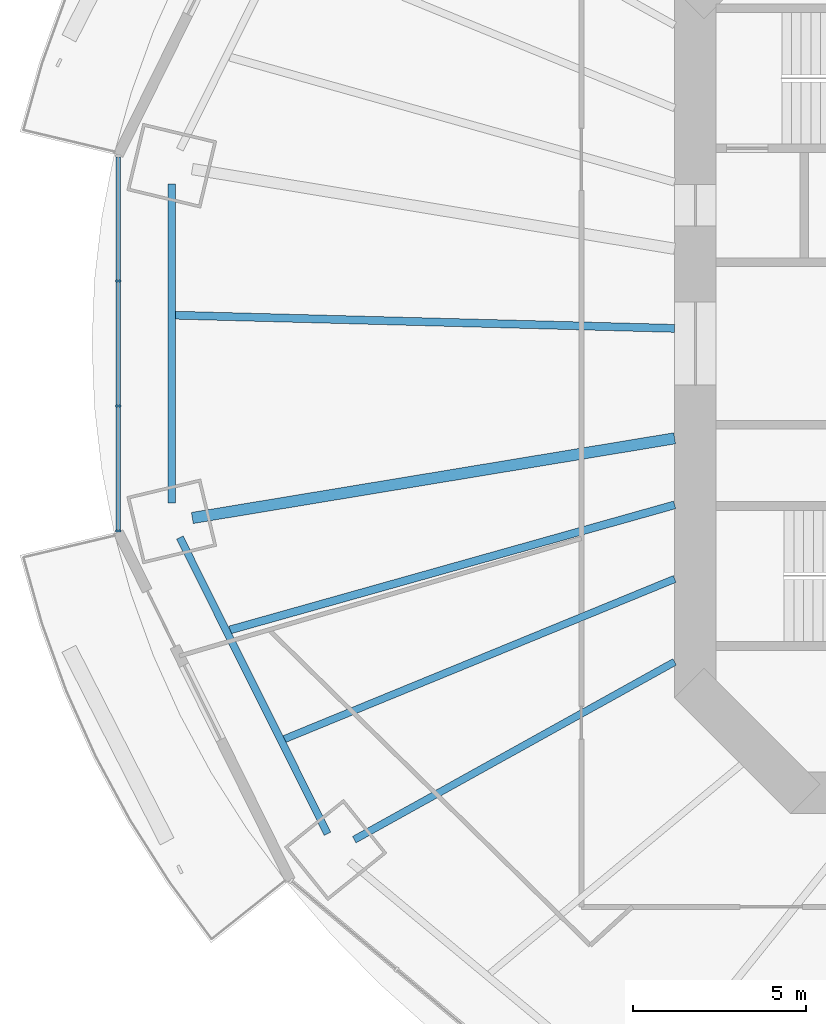
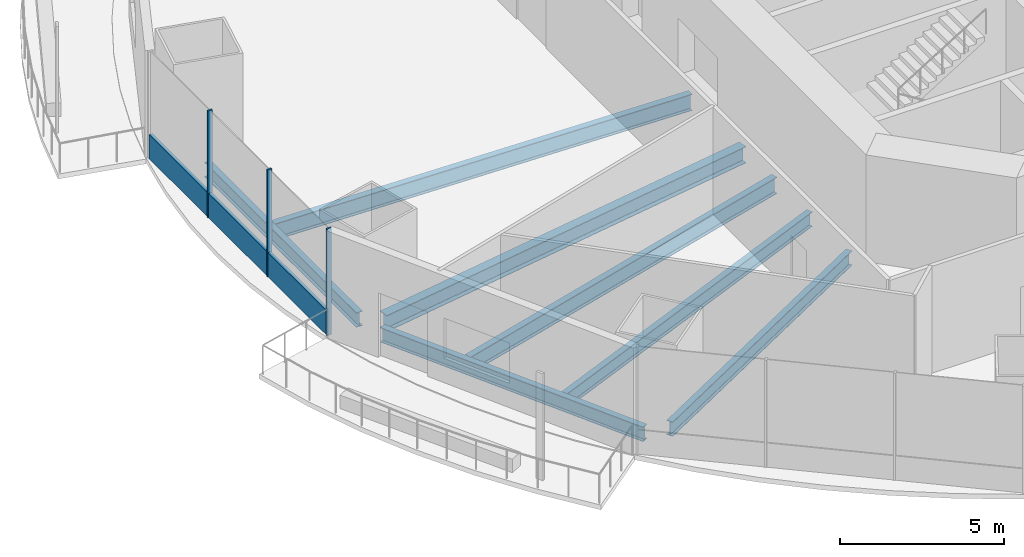
# One storey, part 3 of 20: 7 beams, 4 members, 1 element without a shape of its own.
"""IFC4 building model written with IfcOpenShell, lengths in metres."""

from ifc_helpers import new_model, si_unit, direction, frame, origin, origin_2d, place, context, subcontext, project, spatial, rectangle, i_section, extrude, material, material_profile, profile_set, type_object, element, aggregate, save


model = new_model("IFC4")

# Units and contexts
model_context = context("Model", 3, precision=1e-05, world=origin(), true_north=direction((0.0, 1.0)))
body_context = subcontext(model_context, "Body", "Model", "MODEL_VIEW")
ifc_project = project(units=[si_unit("LENGTHUNIT", "METRE"), si_unit("AREAUNIT", "SQUARE_METRE"), si_unit("VOLUMEUNIT", "CUBIC_METRE"), si_unit("PLANEANGLEUNIT", "RADIAN"), si_unit("MASSUNIT", "GRAM", prefix="KILO")], contexts=[model_context])

# Site, building, storey
site_placement = place(None, origin())
site = spatial("IfcSite", under=ifc_project, at=site_placement, CompositionType="ELEMENT")
building_placement = place(site_placement, origin())
building = spatial("IfcBuilding", under=site, at=building_placement, Name="Marenthal Gate Tower", CompositionType="ELEMENT")
storey_placement = place(building_placement, frame((0.0, 0.0, 132.60009765625)))
storey = spatial("IfcBuildingStorey", under=building, at=storey_placement, Name="L28", CompositionType="ELEMENT", Elevation=132.60009765625)

# Curtain wall, members
ifc_material_1 = material(Name="Aluminium and glass", Category="aluminium")
curtain_wall_type = type_object("IfcCurtainWallType", Name="Curtain wall typical low", PredefinedType="NOTDEFINED", material=ifc_material_1)
curtain_wall_placement = place(storey_placement, origin())
curtain_wall = element("IfcCurtainWall", 1, at=curtain_wall_placement, inside=storey, type_object=curtain_wall_type, Name="Curtain wall L28 bay 8", PredefinedType="NOTDEFINED")
ifc_material_2 = material(Name="Aluminium", Category="aluminium")
ifc_material_profile_1 = material_profile(ifc_material_2, rectangle(XDim=0.159912109375, YDim=0.06005859375, at=origin_2d()), Name="60x160 aluminium mullion")
ifc_profile_set_1 = profile_set([ifc_material_profile_1], Name="Aluminium")
member_type_1 = type_object("IfcMemberType", Name="Mullion 60x160 typical low", PredefinedType="MULLION", material=ifc_profile_set_1)
member_1_placement = place(storey_placement, frame((-32.701416015625, 1.80810546875, 0.0), z_axis=(0.0, 0.0, 1.0), x_axis=(1.0, 0.0, 0.0)))
member_1 = element("IfcMember", 2, at=member_1_placement, type_object=member_type_1, Name="Mullion L28 bay 8.2", PredefinedType="MULLION", context=body_context, shape_type="SweptSolid", body=[
    extrude(rectangle(XDim=0.159912109375, YDim=0.06005859375, at=origin_2d()), origin(), (0.0, 0.0, 1.0), 3.969970703125),
])
member_2_placement = place(storey_placement, frame((-32.701416015625, -1.80810546875, 0.0), z_axis=(0.0, 0.0, 1.0), x_axis=(1.0, 0.0, 0.0)))
member_2 = element("IfcMember", 3, at=member_2_placement, type_object=member_type_1, Name="Mullion L28 bay 8.3", PredefinedType="MULLION", context=body_context, shape_type="SweptSolid", body=[
    extrude(rectangle(XDim=0.159912109375, YDim=0.06005859375, at=origin_2d()), origin(), (0.0, 0.0, 1.0), 3.969970703125),
])
member_3_placement = place(storey_placement, frame((-32.701416015625, -5.424072265625, 0.0), z_axis=(0.0, 0.0, 1.0), x_axis=(1.0, 0.0, 0.0)))
member_3 = element("IfcMember", 4, at=member_3_placement, type_object=member_type_1, Name="Mullion L28 bay 8.4", PredefinedType="MULLION", context=body_context, shape_type="SweptSolid", body=[
    extrude(rectangle(XDim=0.159912109375, YDim=0.06005859375, at=origin_2d()), origin(), (0.0, 0.0, 1.0), 3.969970703125),
])
ifc_material_3 = material(Name="Aluminium", Category="aluminium")
ifc_material_profile_2 = material_profile(ifc_material_3, rectangle(XDim=0.1201171875, YDim=0.89990234375, at=origin_2d()), Name="120x900 aluminium transom")
ifc_profile_set_2 = profile_set([ifc_material_profile_2], Name="Aluminium")
member_type_2 = type_object("IfcMemberType", Name="Transom 120x900 typical low", PredefinedType="USERDEFINED", material=ifc_profile_set_2)
member_4_placement = place(storey_placement, frame((-32.701416015625, 5.39404296875, 0.449951171875), z_axis=(0.0, -1.0, 0.0), x_axis=(1.0, 0.0, 0.0)))
member_4 = element("IfcMember", 5, at=member_4_placement, type_object=member_type_2, Name="Transom L28 bay 8", ObjectType="TRANSOM", PredefinedType="USERDEFINED", context=body_context, shape_type="SweptSolid", body=[
    extrude(rectangle(XDim=0.1201171875, YDim=0.89990234375, at=origin_2d()), origin(), (0.0, 0.0, 1.0), 10.7880859375),
])
aggregate(curtain_wall, [member_1, member_2, member_3, member_4])

# Beams
ifc_material_4 = material(Name="Steel S355", Category="steel")
ifc_material_profile_3 = material_profile(ifc_material_4, i_section(OverallWidth=0.2119140625, OverallDepth=0.5439453125, WebThickness=0.01318359375, FlangeThickness=0.021240234375, FilletRadius=0.0126953125, at=origin_2d()), Name="W530X123")
ifc_profile_set_3 = profile_set([ifc_material_profile_3], Name="Steel S355")
beam_type_1 = type_object("IfcBeamType", Name="W530X123 beam", PredefinedType="BEAM", material=ifc_profile_set_3)
beam_1_placement = place(storey_placement, frame((-25.8701171875, -14.355224609375, -0.4521484375), z_axis=(0.874396146379, 0.485212715412, 0.0), x_axis=(-0.485212715412, 0.874396146379, 0.0)))
element("IfcBeam", 6, at=beam_1_placement, inside=storey, type_object=beam_type_1, Name="BM-L28-10", PredefinedType="BEAM", context=body_context, shape_type="SweptSolid", body=[
    extrude(i_section(OverallWidth=0.2119140625, OverallDepth=0.5439453125, WebThickness=0.01318359375, FlangeThickness=0.021240234375, FilletRadius=0.0126953125, at=origin_2d()), origin(), (0.0, 0.0, 1.0), 10.6015625),
])
beam_2_placement = place(storey_placement, frame((-27.8916015625, -11.444580078125, -0.4521484375), z_axis=(0.925143041133, 0.379618694803, 0.0), x_axis=(-0.379618694803, 0.925143041133, 0.0)))
element("IfcBeam", 7, at=beam_2_placement, inside=storey, type_object=beam_type_1, Name="BM-L28-30", PredefinedType="BEAM", context=body_context, shape_type="SweptSolid", body=[
    extrude(i_section(OverallWidth=0.2119140625, OverallDepth=0.5439453125, WebThickness=0.01318359375, FlangeThickness=0.021240234375, FilletRadius=0.0126953125, at=origin_2d()), origin(), (0.0, 0.0, 1.0), 12.205078125),
])
beam_3_placement = place(storey_placement, frame((-31.151611328125, 4.61767578125, -0.4521484375), z_axis=(0.0, -1.0, 0.0), x_axis=(1.0, 0.0, 0.0)))
element("IfcBeam", 8, at=beam_3_placement, inside=storey, type_object=beam_type_1, Name="BM-L28-48", PredefinedType="BEAM", context=body_context, shape_type="SweptSolid", body=[
    extrude(i_section(OverallWidth=0.2119140625, OverallDepth=0.5439453125, WebThickness=0.01318359375, FlangeThickness=0.021240234375, FilletRadius=0.0126953125, at=origin_2d()), origin(), (0.0, 0.0, 1.0), 9.2353515625),
])
beam_4_placement = place(storey_placement, frame((-30.916748046875, -5.616943359375, -0.4521484375), z_axis=(0.446356728124, -0.89485511188, 0.0), x_axis=(0.89485511188, 0.446356728124, 0.0)))
element("IfcBeam", 9, at=beam_4_placement, inside=storey, type_object=beam_type_1, Name="BM-L28-49", PredefinedType="BEAM", context=body_context, shape_type="SweptSolid", body=[
    extrude(i_section(OverallWidth=0.2119140625, OverallDepth=0.5439453125, WebThickness=0.01318359375, FlangeThickness=0.021240234375, FilletRadius=0.0126953125, at=origin_2d()), origin(), (0.0, 0.0, 1.0), 9.57568359375),
])
ifc_material_5 = material(Name="Steel S355", Category="steel")
ifc_material_profile_4 = material_profile(ifc_material_5, i_section(OverallWidth=0.22900390625, OverallDepth=0.612060546875, WebThickness=0.011962890625, FlangeThickness=0.01953125, FilletRadius=0.0126953125, at=origin_2d()), Name="W610X125")
ifc_profile_set_4 = profile_set([ifc_material_profile_4], Name="Steel S355")
beam_type_2 = type_object("IfcBeamType", Name="W610X125 beam", PredefinedType="BEAM", material=ifc_profile_set_4)
beam_5_placement = place(storey_placement, frame((-31.045654296875, 0.820556640625, -0.486083984375), z_axis=(0.999650837546, -0.026423531071, 0.0), x_axis=(0.026423531071, 0.999650837546, 0.0)))
element("IfcBeam", 10, at=beam_5_placement, inside=storey, type_object=beam_type_2, Name="BM-L28-28", PredefinedType="BEAM", context=body_context, shape_type="SweptSolid", body=[
    extrude(i_section(OverallWidth=0.22900390625, OverallDepth=0.612060546875, WebThickness=0.011962890625, FlangeThickness=0.01953125, FilletRadius=0.0126953125, at=origin_2d()), origin(), (0.0, 0.0, 1.0), 14.45068359375),
])
beam_6_placement = place(storey_placement, frame((-29.466796875, -8.2861328125, -0.486083984375), z_axis=(0.962662543646, 0.270704316664, 0.0), x_axis=(-0.270704316664, 0.962662543646, 0.0)))
element("IfcBeam", 11, at=beam_6_placement, inside=storey, type_object=beam_type_2, Name="BM-L28-29", PredefinedType="BEAM", context=body_context, shape_type="SweptSolid", body=[
    extrude(i_section(OverallWidth=0.22900390625, OverallDepth=0.612060546875, WebThickness=0.011962890625, FlangeThickness=0.01953125, FilletRadius=0.0126953125, at=origin_2d()), origin(), (0.0, 0.0, 1.0), 13.36572265625),
])
ifc_material_6 = material(Name="Steel S355", Category="steel")
ifc_material_profile_5 = material_profile(ifc_material_6, i_section(OverallWidth=0.324951171875, OverallDepth=0.612060546875, WebThickness=0.0126953125, FlangeThickness=0.01904296875, FilletRadius=0.0126953125, at=origin_2d()), Name="W610X155")
ifc_profile_set_5 = profile_set([ifc_material_profile_5], Name="Steel S355")
beam_type_3 = type_object("IfcBeamType", Name="W610X155 beam", PredefinedType="BEAM", material=ifc_profile_set_5)
beam_7_placement = place(storey_placement, frame((-30.556884765625, -5.047607421875, -0.486083984375), z_axis=(0.986630319442, 0.162974270234, 0.0), x_axis=(-0.162974270234, 0.986630319442, 0.0)))
element("IfcBeam", 12, at=beam_7_placement, inside=storey, type_object=beam_type_3, Name="BM-L28-09", PredefinedType="BEAM", context=body_context, shape_type="SweptSolid", body=[
    extrude(i_section(OverallWidth=0.324951171875, OverallDepth=0.612060546875, WebThickness=0.0126953125, FlangeThickness=0.01904296875, FilletRadius=0.0126953125, at=origin_2d()), origin(), (0.0, 0.0, 1.0), 14.14599609375),
])

save(model, "model.ifc")
